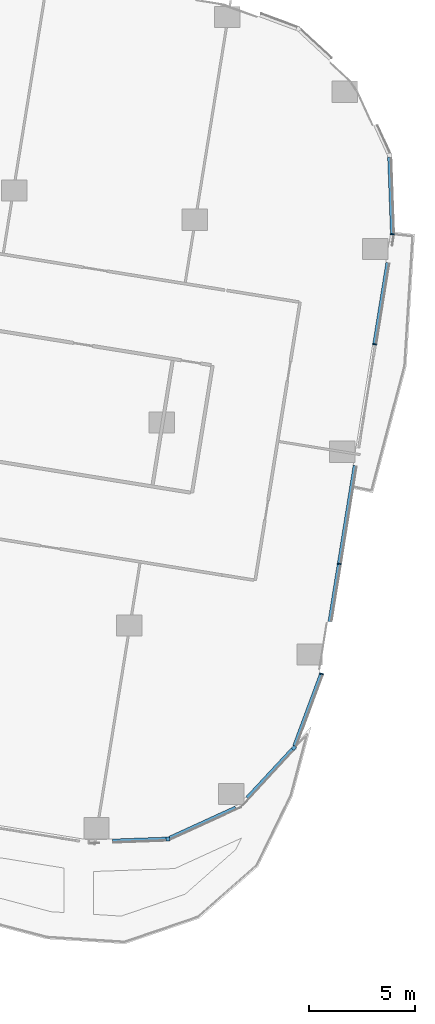
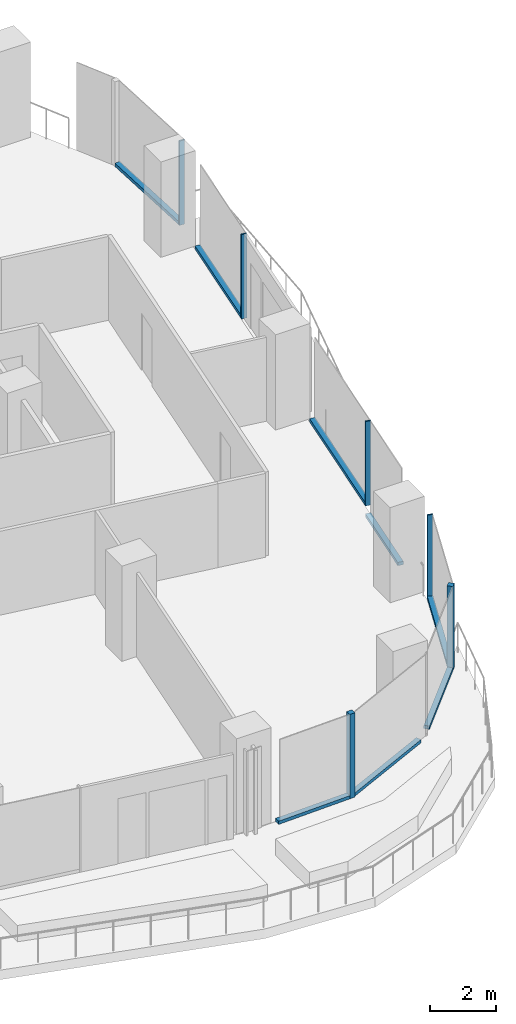
# One storey, part 8 of 32: 14 members, 6 elements without a shape of their own.
"""IFC4 building model written with IfcOpenShell, lengths in metres."""

from ifc_helpers import new_model, si_unit, direction, frame, origin, origin_2d, place, context, subcontext, project, spatial, rectangle, extrude, material, material_profile, profile_set, type_object, element, aggregate, save


model = new_model("IFC4")

# Units and contexts
model_context = context("Model", 3, precision=1e-05, world=origin(), true_north=direction((0.0, 1.0)))
body_context = subcontext(model_context, "Body", "Model", "MODEL_VIEW")
ifc_project = project(units=[si_unit("LENGTHUNIT", "METRE"), si_unit("AREAUNIT", "SQUARE_METRE"), si_unit("VOLUMEUNIT", "CUBIC_METRE"), si_unit("PLANEANGLEUNIT", "RADIAN"), si_unit("MASSUNIT", "GRAM", prefix="KILO")], contexts=[model_context])

# Site, building, storey
site_placement = place(None, origin())
site = spatial("IfcSite", under=ifc_project, at=site_placement, CompositionType="ELEMENT")
building_placement = place(site_placement, origin())
building = spatial("IfcBuilding", under=site, at=building_placement, Name="Orlundy Tower", CompositionType="ELEMENT")
storey_placement = place(building_placement, frame((0.0, 0.0, 123.699951171875)))
storey = spatial("IfcBuildingStorey", under=building, at=storey_placement, Name="L31", CompositionType="ELEMENT", Elevation=123.699951171875)

# Curtain wall, member
ifc_material_1 = material(Name="Aluminium bronze anodised", Category="aluminium")
curtain_wall_type = type_object("IfcCurtainWallType", Name="CW1 wall", PredefinedType="NOTDEFINED", material=ifc_material_1)
curtain_wall_1_placement = place(storey_placement, origin())
curtain_wall_1 = element("IfcCurtainWall", 1, at=curtain_wall_1_placement, inside=storey, type_object=curtain_wall_type, Name="CW1 run 013", PredefinedType="NOTDEFINED")
ifc_material_2 = material(Name="Aluminium bronze anodised", Category="aluminium")
ifc_material_profile_1 = material_profile(ifc_material_2, rectangle(XDim=0.179931640625, YDim=0.179931640625, at=origin_2d()), Name="CW1 corner post 180x180")
ifc_profile_set_1 = profile_set([ifc_material_profile_1], Name="Aluminium bronze anodised")
member_type_1 = type_object("IfcMemberType", Name="CW1 corner post 180x180", PredefinedType="MULLION", material=ifc_profile_set_1)
member_1_placement = place(storey_placement, frame((55.85205078125, -23.3671875, 0.0), z_axis=(0.0, 0.0, 1.0), x_axis=(0.732274349196, -0.681009748469, 0.0)))
member_1 = element("IfcMember", 2, at=member_1_placement, type_object=member_type_1, Name="CW1 mullion 41", PredefinedType="MULLION", context=body_context, shape_type="SweptSolid", body=[
    extrude(rectangle(XDim=0.179931640625, YDim=0.179931640625, at=origin_2d()), origin(), (0.0, 0.0, 1.0), 3.10009765625),
])

curtain_wall_2_placement = place(storey_placement, origin())
curtain_wall_2 = element("IfcCurtainWall", 3, at=curtain_wall_2_placement, inside=storey, type_object=curtain_wall_type, Name="CW1 run 015", PredefinedType="NOTDEFINED")
member_2_placement = place(storey_placement, frame((49.901123046875, -27.664306640625, 0.0), z_axis=(0.0, 0.0, 1.0), x_axis=(0.036413082656, -0.999336823804, 0.0)))
member_2 = element("IfcMember", 4, at=member_2_placement, type_object=member_type_1, Name="CW1 mullion 43", PredefinedType="MULLION", context=body_context, shape_type="SweptSolid", body=[
    extrude(rectangle(XDim=0.179931640625, YDim=0.179931640625, at=origin_2d()), origin(), (0.0, 0.0, 1.0), 3.10009765625),
])

# Curtain wall, members
curtain_wall_3_placement = place(storey_placement, origin())
curtain_wall_3 = element("IfcCurtainWall", 5, at=curtain_wall_3_placement, inside=storey, type_object=curtain_wall_type, Name="CW1 run 011", PredefinedType="NOTDEFINED")
ifc_material_3 = material(Name="Aluminium bronze anodised", Category="aluminium")
ifc_material_profile_2 = material_profile(ifc_material_3, rectangle(XDim=0.179931640625, YDim=0.050048828125, at=origin_2d()), Name="CW1 mullion 50x180")
ifc_profile_set_2 = profile_set([ifc_material_profile_2], Name="Aluminium bronze anodised")
member_type_2 = type_object("IfcMemberType", Name="CW1 mullion 50x180", PredefinedType="MULLION", material=ifc_profile_set_2)
member_3_placement = place(storey_placement, frame((60.503173828125, 0.88134765625, 0.0), z_axis=(0.0, 0.0, 1.0), x_axis=(0.998091535711, -0.061751812466, 0.0)))
member_3 = element("IfcMember", 6, at=member_3_placement, type_object=member_type_2, Name="CW1 mullion 36", PredefinedType="MULLION", context=body_context, shape_type="SweptSolid", body=[
    extrude(rectangle(XDim=0.179931640625, YDim=0.050048828125, at=origin_2d()), origin(), (0.0, 0.0, 1.0), 3.10009765625),
])
member_4_placement = place(storey_placement, frame((59.665283203125, -4.310302734375, 0.0), z_axis=(0.0, 0.0, 1.0), x_axis=(0.987225178566, -0.159331248677, 0.0)))
member_4 = element("IfcMember", 7, at=member_4_placement, type_object=member_type_2, Name="CW1 mullion 37", PredefinedType="MULLION", context=body_context, shape_type="SweptSolid", body=[
    extrude(rectangle(XDim=0.179931640625, YDim=0.050048828125, at=origin_2d()), origin(), (0.0, 0.0, 1.0), 3.10009765625),
])
member_5_placement = place(storey_placement, frame((57.992431640625, -14.67626953125, 0.0), z_axis=(0.0, 0.0, 1.0), x_axis=(0.987225178566, -0.159331248677, 0.0)))
member_5 = element("IfcMember", 8, at=member_5_placement, type_object=member_type_2, Name="CW1 mullion 39", PredefinedType="MULLION", context=body_context, shape_type="SweptSolid", body=[
    extrude(rectangle(XDim=0.179931640625, YDim=0.050048828125, at=origin_2d()), origin(), (0.0, 0.0, 1.0), 3.10009765625),
])

# Curtain wall, member
curtain_wall_4_placement = place(storey_placement, origin())
curtain_wall_4 = element("IfcCurtainWall", 9, at=curtain_wall_4_placement, inside=storey, type_object=curtain_wall_type, Name="CW1 run 012", PredefinedType="NOTDEFINED")
member_6_placement = place(storey_placement, frame((57.154541015625, -19.8681640625, 0.0), z_axis=(0.0, 0.0, 1.0), x_axis=(0.966861234208, -0.255302475086, 0.0)))
member_6 = element("IfcMember", 10, at=member_6_placement, type_object=member_type_2, Name="CW1 mullion 40", PredefinedType="MULLION", context=body_context, shape_type="SweptSolid", body=[
    extrude(rectangle(XDim=0.179931640625, YDim=0.050048828125, at=origin_2d()), origin(), (0.0, 0.0, 1.0), 3.10009765625),
])

curtain_wall_5_placement = place(storey_placement, origin())
curtain_wall_5 = element("IfcCurtainWall", 11, at=curtain_wall_5_placement, inside=storey, type_object=curtain_wall_type, Name="CW1 run 010", PredefinedType="NOTDEFINED")
ifc_material_4 = material(Name="Aluminium bronze anodised", Category="aluminium")
ifc_material_profile_3 = material_profile(ifc_material_4, rectangle(XDim=0.179931640625, YDim=0.1201171875, at=origin_2d()), Name="CW1 transom 180x120")
ifc_profile_set_3 = profile_set([ifc_material_profile_3], Name="Aluminium bronze anodised")
member_type_3 = type_object("IfcMemberType", Name="CW1 transom 180x120", PredefinedType="USERDEFINED", material=ifc_profile_set_3)
member_7_placement = place(storey_placement, frame((60.37060546875, 4.522216796875, 0.06005859375), z_axis=(0.036437636837, -0.999335928816, 0.0), x_axis=(0.999335928816, 0.036437636837, 0.0)))
member_7 = element("IfcMember", 12, at=member_7_placement, type_object=member_type_3, Name="CW1 transom", ObjectType="TRANSOM", PredefinedType="USERDEFINED", context=body_context, shape_type="SweptSolid", body=[
    extrude(rectangle(XDim=0.179931640625, YDim=0.1201171875, at=origin_2d()), origin(), (0.0, 0.0, 1.0), 3.6181640625),
])
aggregate(curtain_wall_5, [member_7])

# Member
member_8_placement = place(storey_placement, frame((60.287353515625, -0.45703125, 0.06005859375), z_axis=(-0.159333379451, -0.987224834672, 0.0), x_axis=(0.987224834672, -0.159333379451, 0.0)))
member_8 = element("IfcMember", 13, at=member_8_placement, type_object=member_type_3, Name="CW1 transom", ObjectType="TRANSOM", PredefinedType="USERDEFINED", context=body_context, shape_type="SweptSolid", body=[
    extrude(rectangle(XDim=0.179931640625, YDim=0.1201171875, at=origin_2d()), origin(), (0.0, 0.0, 1.0), 3.878173828125),
])

member_9_placement = place(storey_placement, frame((58.74169921875, -10.032958984375, 0.06005859375), z_axis=(-0.159319394795, -0.987227091627, 0.0), x_axis=(0.987227091627, -0.159319394795, 0.0)))
member_9 = element("IfcMember", 14, at=member_9_placement, type_object=member_type_3, Name="CW1 transom", ObjectType="TRANSOM", PredefinedType="USERDEFINED", context=body_context, shape_type="SweptSolid", body=[
    extrude(rectangle(XDim=0.179931640625, YDim=0.1201171875, at=origin_2d()), origin(), (0.0, 0.0, 1.0), 4.678466796875),
])

member_10_placement = place(storey_placement, frame((57.98828125, -14.700927734375, -0.33984375), z_axis=(-0.159254841459, -0.987237507124, 0.0), x_axis=(0.987237507124, -0.159254841459, 0.0)))
member_10 = element("IfcMember", 15, at=member_10_placement, type_object=member_type_3, Name="CW1 transom", ObjectType="TRANSOM", PredefinedType="USERDEFINED", context=body_context, shape_type="SweptSolid", body=[
    extrude(rectangle(XDim=0.179931640625, YDim=0.1201171875, at=origin_2d()), origin(), (0.0, 0.0, 1.0), 2.740966796875),
])

aggregate(curtain_wall_3, [member_3, member_4, member_5, member_8, member_9, member_10])

member_11_placement = place(storey_placement, frame((57.145751953125, -19.8916015625, 0.06005859375), z_axis=(-0.34885524219, -0.937176621559, 0.0), x_axis=(0.937176621559, -0.34885524219, 0.0)))
member_11 = element("IfcMember", 16, at=member_11_placement, type_object=member_type_3, Name="CW1 transom", ObjectType="TRANSOM", PredefinedType="USERDEFINED", context=body_context, shape_type="SweptSolid", body=[
    extrude(rectangle(XDim=0.179931640625, YDim=0.1201171875, at=origin_2d()), origin(), (0.0, 0.0, 1.0), 3.611083984375),
])

aggregate(curtain_wall_4, [member_6, member_11])

member_12_placement = place(storey_placement, frame((55.790771484375, -23.43310546875, 0.06005859375), z_axis=(-0.681025545886, -0.732259657397, 0.0), x_axis=(0.732259657397, -0.681025545886, 0.0)))
member_12 = element("IfcMember", 17, at=member_12_placement, type_object=member_type_3, Name="CW1 transom", ObjectType="TRANSOM", PredefinedType="USERDEFINED", context=body_context, shape_type="SweptSolid", body=[
    extrude(rectangle(XDim=0.179931640625, YDim=0.1201171875, at=origin_2d()), origin(), (0.0, 0.0, 1.0), 3.14501953125),
])

aggregate(curtain_wall_1, [member_1, member_12])

# Curtain wall, member
curtain_wall_6_placement = place(storey_placement, origin())
curtain_wall_6 = element("IfcCurtainWall", 18, at=curtain_wall_6_placement, inside=storey, type_object=curtain_wall_type, Name="CW1 run 014", PredefinedType="NOTDEFINED")
member_13_placement = place(storey_placement, frame((53.10791015625, -26.197021484375, 0.06005859375), z_axis=(-0.909329814914, -0.416076060003, 0.0), x_axis=(0.416076060003, -0.909329814914, 0.0)))
member_13 = element("IfcMember", 19, at=member_13_placement, type_object=member_type_3, Name="CW1 transom", ObjectType="TRANSOM", PredefinedType="USERDEFINED", context=body_context, shape_type="SweptSolid", body=[
    extrude(rectangle(XDim=0.179931640625, YDim=0.1201171875, at=origin_2d()), origin(), (0.0, 0.0, 1.0), 3.42919921875),
])
aggregate(curtain_wall_6, [member_13])

# Member
member_14_placement = place(storey_placement, frame((49.811279296875, -27.66748046875, 0.06005859375), z_axis=(-0.999337008749, -0.0364080066, 0.0), x_axis=(0.0364080066, -0.999337008749, 0.0)))
member_14 = element("IfcMember", 20, at=member_14_placement, type_object=member_type_3, Name="CW1 transom", ObjectType="TRANSOM", PredefinedType="USERDEFINED", context=body_context, shape_type="SweptSolid", body=[
    extrude(rectangle(XDim=0.179931640625, YDim=0.1201171875, at=origin_2d()), origin(), (0.0, 0.0, 1.0), 2.528076171875),
])

aggregate(curtain_wall_2, [member_2, member_14])

save(model, "model.ifc")
